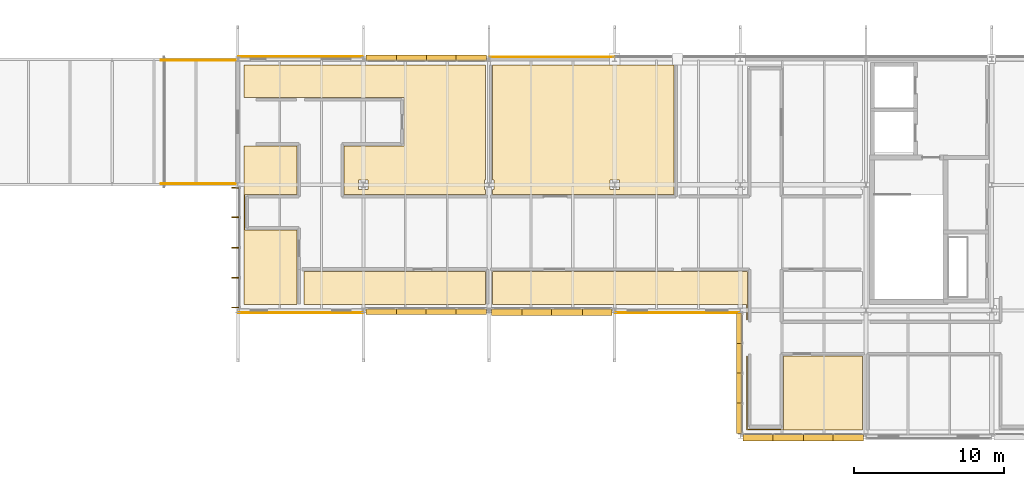
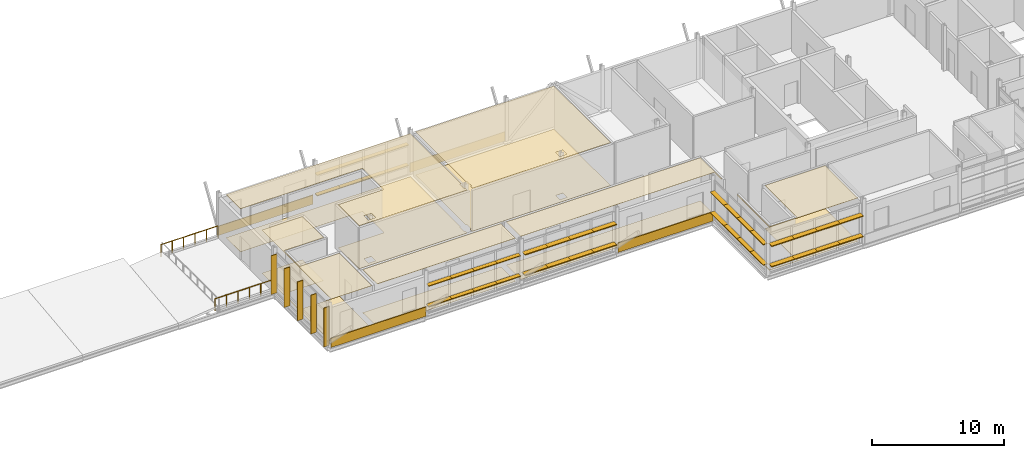
# One storey, part 34 of 35: 45 shading devices, 16 coverings, 2 railings.
"""IFC4 building model written with IfcOpenShell, lengths in metres."""

from ifc_helpers import new_model, si_unit, direction, frame, origin, origin_2d, place, context, subcontext, project, spatial, polyline, rectangle, circle, outline, extrude, material, layer, layer_set, type_object, element, save


model = new_model("IFC4")

# Units and contexts
model_context = context("Model", 3, precision=1e-05, world=origin(), true_north=direction((0.0, 1.0)))
body_context = subcontext(model_context, "Body", "Model", "MODEL_VIEW")
ifc_project = project(units=[si_unit("LENGTHUNIT", "METRE"), si_unit("AREAUNIT", "SQUARE_METRE"), si_unit("VOLUMEUNIT", "CUBIC_METRE"), si_unit("PLANEANGLEUNIT", "RADIAN"), si_unit("MASSUNIT", "GRAM", prefix="KILO")], contexts=[model_context])

# Site, building, storey
site_placement = place(None, origin())
site = spatial("IfcSite", under=ifc_project, at=site_placement, CompositionType="ELEMENT")
building_placement = place(site_placement, origin())
building = spatial("IfcBuilding", under=site, at=building_placement, Name="Mersafa Astral City Hall", CompositionType="ELEMENT")
storey_placement = place(building_placement, frame((0.0, 0.0, 30.14990234375)))
storey = spatial("IfcBuildingStorey", under=building, at=storey_placement, Name="L07", CompositionType="ELEMENT", Elevation=30.14990234375)

# Coverings
ifc_material_1 = material(Name="Cairo Mokattam buff limestone cladding", Category="masonry")
ifc_layer_1 = layer(ifc_material_1, 0.06005859375, Name="Cairo Mokattam buff limestone cladding")
ifc_layer_set_1 = layer_set([ifc_layer_1], Name="Cairo Mokattam buff limestone cladding — ENV-COV-LIMESTONE-60")
covering_type_1 = type_object("IfcCoveringType", Name="ENV-COV-LIMESTONE-60", PredefinedType="CLADDING", material=ifc_layer_set_1)
for number, where, z_axis, x_axis, name in (
    (1, (130.199951171875, 126.139404296875, 0.0), (0.0, 0.0, 1.0), (-1.0, 0.0, 0.0), "L07 Cairo buff limestone rainscreen cladding 377"),
    (2, (113.39990234375, 126.177001953125, 0.0), (0.0, 0.0, 1.0), (-1.0, 0.0, 0.0), "L07 Cairo buff limestone rainscreen cladding 378"),
    (3, (113.39990234375, 109.0380859375, 0.0), (0.0, 0.0, 1.0), (1.0, 0.0, 0.0), "L07 Cairo buff limestone rainscreen cladding 379"),
    (4, (138.60009765625, 109.04541015625, 0.0), (0.0, 0.0, 1.0), (1.0, 0.0, 0.0), "L07 Cairo buff limestone rainscreen cladding 380"),
):
    element("IfcCovering", number, at=place(storey_placement, frame(where, z_axis=z_axis, x_axis=x_axis)), inside=storey, type_object=covering_type_1, Name=name, PredefinedType="CLADDING", context=body_context, shape_type="SweptSolid", body=[
        extrude(rectangle(XDim=8.323974609375, YDim=0.06005859375, at=origin_2d()), origin(), (0.0, 0.0, 1.0), 0.860107421875),
    ])

# Railings
ifc_material_2 = material(Name="Anodised bronze steel balustrade with laminated safety infill", Category="steel")
railing_type = type_object("IfcRailingType", Name="ENV-RAIL-TERRACE-1120", PredefinedType="BALUSTRADE", material=ifc_material_2)
railing_1_placement = place(storey_placement, frame((104.06005859375, 117.669921875, 0.0)))
element("IfcRailing", 5, at=railing_1_placement, inside=storey, type_object=railing_type, Name="L07 Terrace perimeter guard balustrade 17", PredefinedType="BALUSTRADE", context=body_context, shape_type="SweptSolid", body=[
    extrude(circle(Radius=0.02392578125, at=origin_2d()), frame((0.0, 0.0, 1.09619140625), z_axis=(1.0, 0.0, 0.0), x_axis=(0.0, 1.0, 0.0)), (0.0, 0.0, 1.0), 5.0),
    extrude(circle(Radius=0.02099609375, at=origin_2d()), origin(), (0.0, 0.0, 1.0), 1.072021484375),
    extrude(circle(Radius=0.02099609375, at=origin_2d()), frame((1.0, 0.0, 0.0)), (0.0, 0.0, 1.0), 1.072021484375),
    extrude(circle(Radius=0.02099609375, at=origin_2d()), frame((2.0, 0.0, 0.0)), (0.0, 0.0, 1.0), 1.072021484375),
    extrude(circle(Radius=0.02099609375, at=origin_2d()), frame((3.0, 0.0, 0.0)), (0.0, 0.0, 1.0), 1.072021484375),
    extrude(circle(Radius=0.02099609375, at=origin_2d()), frame((4.0, 0.0, 0.0)), (0.0, 0.0, 1.0), 1.072021484375),
    extrude(circle(Radius=0.02099609375, at=origin_2d()), frame((5.0, 0.0, 0.0)), (0.0, 0.0, 1.0), 1.072021484375),
])
railing_2_placement = place(storey_placement, frame((109.06005859375, 125.929931640625, 0.0)))
element("IfcRailing", 6, at=railing_2_placement, inside=storey, type_object=railing_type, Name="L07 Terrace perimeter guard balustrade 18", PredefinedType="BALUSTRADE", context=body_context, shape_type="SweptSolid", body=[
    extrude(circle(Radius=0.02392578125, at=origin_2d()), frame((0.0, 0.0, 1.09619140625), z_axis=(-1.0, 0.0, 0.0), x_axis=(0.0, -1.0, 0.0)), (0.0, 0.0, 1.0), 5.0),
    extrude(circle(Radius=0.02099609375, at=origin_2d()), origin(), (0.0, 0.0, 1.0), 1.072021484375),
    extrude(circle(Radius=0.02099609375, at=origin_2d()), frame((-1.0, 0.0, 0.0)), (0.0, 0.0, 1.0), 1.072021484375),
    extrude(circle(Radius=0.02099609375, at=origin_2d()), frame((-2.0, 0.0, 0.0)), (0.0, 0.0, 1.0), 1.072021484375),
    extrude(circle(Radius=0.02099609375, at=origin_2d()), frame((-3.0, 0.0, 0.0)), (0.0, 0.0, 1.0), 1.072021484375),
    extrude(circle(Radius=0.02099609375, at=origin_2d()), frame((-4.0, 0.0, 0.0)), (0.0, 0.0, 1.0), 1.072021484375),
    extrude(circle(Radius=0.02099609375, at=origin_2d()), frame((-5.0, 0.0, 0.0)), (0.0, 0.0, 1.0), 1.072021484375),
])

# Shading devices
ifc_material_3 = material(Name="Anodised bronze aluminium solar fin", Category="aluminium")
shading_device_type_1 = type_object("IfcShadingDeviceType", Name="ENV-SHD-FIN-500A", PredefinedType="USERDEFINED", material=ifc_material_3)
for number, where, z_axis, x_axis, name in (
    (7, (109.054931640625, 117.407958984375, -0.014892578125), (0.0, 0.0, 1.0), (0.0, -1.0, 0.0), "L07 Vertical bronze solar fin 1751"),
    (8, (109.054931640625, 115.4189453125, -0.014892578125), (0.0, 0.0, 1.0), (0.0, -1.0, 0.0), "L07 Vertical bronze solar fin 1752"),
    (9, (109.054931640625, 113.39990234375, -0.014892578125), (0.0, 0.0, 1.0), (0.0, -1.0, 0.0), "L07 Vertical bronze solar fin 1753"),
    (10, (109.054931640625, 111.381103515625, -0.014892578125), (0.0, 0.0, 1.0), (0.0, -1.0, 0.0), "L07 Vertical bronze solar fin 1754"),
    (11, (109.054931640625, 109.39208984375, -0.014892578125), (0.0, 0.0, 1.0), (0.0, -1.0, 0.0), "L07 Vertical bronze solar fin 1755"),
):
    element("IfcShadingDevice", number, at=place(storey_placement, frame(where, z_axis=z_axis, x_axis=x_axis)), inside=storey, type_object=shading_device_type_1, Name=name, ObjectType="FIN", PredefinedType="USERDEFINED", context=body_context, shape_type="SweptSolid", body=[
        extrude(rectangle(XDim=0.06005859375, YDim=0.5, at=origin_2d()), origin(), (0.0, 0.0, 1.0), 3.60009765625),
    ])
ifc_material_4 = material(Name="Kiln-dried cedar timber brise-soleil blade", Category="wood")
shading_device_type_2 = type_object("IfcShadingDeviceType", Name="ENV-SHD-LOUVRE-380", PredefinedType="JALOUSIE", material=ifc_material_4)
shading_device_1_placement = place(storey_placement, frame((124.8134765625, 126.080078125, 0.81494140625), z_axis=(0.0, 0.0, 1.0), x_axis=(-1.0, 0.0, 0.0)))
element("IfcShadingDevice", 12, at=shading_device_1_placement, inside=storey, type_object=shading_device_type_2, Name="L07 Horizontal cedar brise-soleil louvre 1743", PredefinedType="JALOUSIE", context=body_context, shape_type="SweptSolid", body=[
    extrude(rectangle(XDim=2.029052734375, YDim=0.3798828125, at=origin_2d()), origin(), (0.0, 0.0, 1.0), 0.070068359375),
])
for number, where, z_axis, x_axis, name in (
    (13, (122.8095703125, 126.080078125, 0.81494140625), (0.0, 0.0, 1.0), (-1.0, 0.0, 0.0), "L07 Horizontal cedar brise-soleil louvre 1744"),
    (14, (120.79052734375, 126.080078125, 0.81494140625), (0.0, 0.0, 1.0), (-1.0, 0.0, 0.0), "L07 Horizontal cedar brise-soleil louvre 1745"),
):
    element("IfcShadingDevice", number, at=place(storey_placement, frame(where, z_axis=z_axis, x_axis=x_axis)), inside=storey, type_object=shading_device_type_2, Name=name, PredefinedType="JALOUSIE", context=body_context, shape_type="SweptSolid", body=[
        extrude(rectangle(XDim=2.05908203125, YDim=0.3798828125, at=origin_2d()), origin(), (0.0, 0.0, 1.0), 0.070068359375),
    ])
for number, where, z_axis, x_axis, name in (
    (15, (118.78662109375, 126.080078125, 0.81494140625), (0.0, 0.0, 1.0), (-1.0, 0.0, 0.0), "L07 Horizontal cedar brise-soleil louvre 1746"),
    (16, (124.8134765625, 126.080078125, 2.71484375), (0.0, 0.0, 1.0), (-1.0, 0.0, 0.0), "L07 Horizontal cedar brise-soleil louvre 1747"),
):
    element("IfcShadingDevice", number, at=place(storey_placement, frame(where, z_axis=z_axis, x_axis=x_axis)), inside=storey, type_object=shading_device_type_2, Name=name, PredefinedType="JALOUSIE", context=body_context, shape_type="SweptSolid", body=[
        extrude(rectangle(XDim=2.029052734375, YDim=0.3798828125, at=origin_2d()), origin(), (0.0, 0.0, 1.0), 0.070068359375),
    ])
for number, where, z_axis, x_axis, name in (
    (17, (122.8095703125, 126.080078125, 2.71484375), (0.0, 0.0, 1.0), (-1.0, 0.0, 0.0), "L07 Horizontal cedar brise-soleil louvre 1748"),
    (18, (120.79052734375, 126.080078125, 2.71484375), (0.0, 0.0, 1.0), (-1.0, 0.0, 0.0), "L07 Horizontal cedar brise-soleil louvre 1749"),
):
    element("IfcShadingDevice", number, at=place(storey_placement, frame(where, z_axis=z_axis, x_axis=x_axis)), inside=storey, type_object=shading_device_type_2, Name=name, PredefinedType="JALOUSIE", context=body_context, shape_type="SweptSolid", body=[
        extrude(rectangle(XDim=2.05908203125, YDim=0.3798828125, at=origin_2d()), origin(), (0.0, 0.0, 1.0), 0.070068359375),
    ])
for number, where, z_axis, x_axis, name in (
    (19, (118.78662109375, 126.080078125, 2.71484375), (0.0, 0.0, 1.0), (-1.0, 0.0, 0.0), "L07 Horizontal cedar brise-soleil louvre 1750"),
    (20, (118.78662109375, 109.1201171875, 0.81494140625), (0.0, 0.0, 1.0), (1.0, 0.0, 0.0), "L07 Horizontal cedar brise-soleil louvre 1756"),
):
    element("IfcShadingDevice", number, at=place(storey_placement, frame(where, z_axis=z_axis, x_axis=x_axis)), inside=storey, type_object=shading_device_type_2, Name=name, PredefinedType="JALOUSIE", context=body_context, shape_type="SweptSolid", body=[
        extrude(rectangle(XDim=2.029052734375, YDim=0.3798828125, at=origin_2d()), origin(), (0.0, 0.0, 1.0), 0.070068359375),
    ])
for number, where, z_axis, x_axis, name in (
    (21, (120.79052734375, 109.1201171875, 0.81494140625), (0.0, 0.0, 1.0), (1.0, 0.0, 0.0), "L07 Horizontal cedar brise-soleil louvre 1757"),
    (22, (122.8095703125, 109.1201171875, 0.81494140625), (0.0, 0.0, 1.0), (1.0, 0.0, 0.0), "L07 Horizontal cedar brise-soleil louvre 1758"),
):
    element("IfcShadingDevice", number, at=place(storey_placement, frame(where, z_axis=z_axis, x_axis=x_axis)), inside=storey, type_object=shading_device_type_2, Name=name, PredefinedType="JALOUSIE", context=body_context, shape_type="SweptSolid", body=[
        extrude(rectangle(XDim=2.05908203125, YDim=0.3798828125, at=origin_2d()), origin(), (0.0, 0.0, 1.0), 0.070068359375),
    ])
for number, where, z_axis, x_axis, name in (
    (23, (124.8134765625, 109.1201171875, 0.81494140625), (0.0, 0.0, 1.0), (1.0, 0.0, 0.0), "L07 Horizontal cedar brise-soleil louvre 1759"),
    (24, (118.78662109375, 109.1201171875, 2.71484375), (0.0, 0.0, 1.0), (1.0, 0.0, 0.0), "L07 Horizontal cedar brise-soleil louvre 1760"),
):
    element("IfcShadingDevice", number, at=place(storey_placement, frame(where, z_axis=z_axis, x_axis=x_axis)), inside=storey, type_object=shading_device_type_2, Name=name, PredefinedType="JALOUSIE", context=body_context, shape_type="SweptSolid", body=[
        extrude(rectangle(XDim=2.029052734375, YDim=0.3798828125, at=origin_2d()), origin(), (0.0, 0.0, 1.0), 0.070068359375),
    ])
for number, where, z_axis, x_axis, name in (
    (25, (120.79052734375, 109.1201171875, 2.71484375), (0.0, 0.0, 1.0), (1.0, 0.0, 0.0), "L07 Horizontal cedar brise-soleil louvre 1761"),
    (26, (122.8095703125, 109.1201171875, 2.71484375), (0.0, 0.0, 1.0), (1.0, 0.0, 0.0), "L07 Horizontal cedar brise-soleil louvre 1762"),
):
    element("IfcShadingDevice", number, at=place(storey_placement, frame(where, z_axis=z_axis, x_axis=x_axis)), inside=storey, type_object=shading_device_type_2, Name=name, PredefinedType="JALOUSIE", context=body_context, shape_type="SweptSolid", body=[
        extrude(rectangle(XDim=2.05908203125, YDim=0.3798828125, at=origin_2d()), origin(), (0.0, 0.0, 1.0), 0.070068359375),
    ])
for number, where, z_axis, x_axis, name in (
    (27, (124.8134765625, 109.1201171875, 2.71484375), (0.0, 0.0, 1.0), (1.0, 0.0, 0.0), "L07 Horizontal cedar brise-soleil louvre 1763"),
    (28, (142.719970703125, 108.013427734375, 0.81494140625), (0.0, 0.0, 1.0), (0.0, -1.0, 0.0), "L07 Horizontal cedar brise-soleil louvre 1772"),
):
    element("IfcShadingDevice", number, at=place(storey_placement, frame(where, z_axis=z_axis, x_axis=x_axis)), inside=storey, type_object=shading_device_type_2, Name=name, PredefinedType="JALOUSIE", context=body_context, shape_type="SweptSolid", body=[
        extrude(rectangle(XDim=2.029052734375, YDim=0.3798828125, at=origin_2d()), origin(), (0.0, 0.0, 1.0), 0.070068359375),
    ])
for number, where, z_axis, x_axis, name in (
    (29, (142.719970703125, 106.009521484375, 0.81494140625), (0.0, 0.0, 1.0), (0.0, -1.0, 0.0), "L07 Horizontal cedar brise-soleil louvre 1773"),
    (30, (142.719970703125, 103.990478515625, 0.81494140625), (0.0, 0.0, 1.0), (0.0, -1.0, 0.0), "L07 Horizontal cedar brise-soleil louvre 1774"),
):
    element("IfcShadingDevice", number, at=place(storey_placement, frame(where, z_axis=z_axis, x_axis=x_axis)), inside=storey, type_object=shading_device_type_2, Name=name, PredefinedType="JALOUSIE", context=body_context, shape_type="SweptSolid", body=[
        extrude(rectangle(XDim=2.05908203125, YDim=0.3798828125, at=origin_2d()), origin(), (0.0, 0.0, 1.0), 0.070068359375),
    ])
for number, where, z_axis, x_axis, name in (
    (31, (142.719970703125, 101.986572265625, 0.81494140625), (0.0, 0.0, 1.0), (0.0, -1.0, 0.0), "L07 Horizontal cedar brise-soleil louvre 1775"),
    (32, (142.719970703125, 108.013427734375, 2.71484375), (0.0, 0.0, 1.0), (0.0, -1.0, 0.0), "L07 Horizontal cedar brise-soleil louvre 1776"),
):
    element("IfcShadingDevice", number, at=place(storey_placement, frame(where, z_axis=z_axis, x_axis=x_axis)), inside=storey, type_object=shading_device_type_2, Name=name, PredefinedType="JALOUSIE", context=body_context, shape_type="SweptSolid", body=[
        extrude(rectangle(XDim=2.029052734375, YDim=0.3798828125, at=origin_2d()), origin(), (0.0, 0.0, 1.0), 0.070068359375),
    ])
for number, where, z_axis, x_axis, name in (
    (33, (142.719970703125, 106.009521484375, 2.71484375), (0.0, 0.0, 1.0), (0.0, -1.0, 0.0), "L07 Horizontal cedar brise-soleil louvre 1777"),
    (34, (142.719970703125, 103.990478515625, 2.71484375), (0.0, 0.0, 1.0), (0.0, -1.0, 0.0), "L07 Horizontal cedar brise-soleil louvre 1778"),
):
    element("IfcShadingDevice", number, at=place(storey_placement, frame(where, z_axis=z_axis, x_axis=x_axis)), inside=storey, type_object=shading_device_type_2, Name=name, PredefinedType="JALOUSIE", context=body_context, shape_type="SweptSolid", body=[
        extrude(rectangle(XDim=2.05908203125, YDim=0.3798828125, at=origin_2d()), origin(), (0.0, 0.0, 1.0), 0.070068359375),
    ])
shading_device_2_placement = place(storey_placement, frame((142.719970703125, 101.986572265625, 2.71484375), z_axis=(0.0, 0.0, 1.0), x_axis=(0.0, -1.0, 0.0)))
element("IfcShadingDevice", 35, at=shading_device_2_placement, inside=storey, type_object=shading_device_type_2, Name="L07 Horizontal cedar brise-soleil louvre 1779", PredefinedType="JALOUSIE", context=body_context, shape_type="SweptSolid", body=[
    extrude(rectangle(XDim=2.029052734375, YDim=0.3798828125, at=origin_2d()), origin(), (0.0, 0.0, 1.0), 0.070068359375),
])
shading_device_type_3 = type_object("IfcShadingDeviceType", Name="ENV-SHD-LOUVRE-450", PredefinedType="JALOUSIE", material=ifc_material_4)
shading_device_3_placement = place(storey_placement, frame((143.986572265625, 100.68505859375, 0.81005859375), z_axis=(0.0, 0.0, 1.0), x_axis=(1.0, 0.0, 0.0)))
element("IfcShadingDevice", 36, at=shading_device_3_placement, inside=storey, type_object=shading_device_type_3, Name="L07 Horizontal cedar brise-soleil louvre 1709", PredefinedType="JALOUSIE", context=body_context, shape_type="SweptSolid", body=[
    extrude(rectangle(XDim=2.029052734375, YDim=0.449951171875, at=origin_2d()), origin(), (0.0, 0.0, 1.0), 0.080078125),
])
for number, where, z_axis, x_axis, name in (
    (37, (145.990478515625, 100.68505859375, 0.81005859375), (0.0, 0.0, 1.0), (1.0, 0.0, 0.0), "L07 Horizontal cedar brise-soleil louvre 1710"),
    (38, (148.009521484375, 100.68505859375, 0.81005859375), (0.0, 0.0, 1.0), (1.0, 0.0, 0.0), "L07 Horizontal cedar brise-soleil louvre 1711"),
):
    element("IfcShadingDevice", number, at=place(storey_placement, frame(where, z_axis=z_axis, x_axis=x_axis)), inside=storey, type_object=shading_device_type_3, Name=name, PredefinedType="JALOUSIE", context=body_context, shape_type="SweptSolid", body=[
        extrude(rectangle(XDim=2.05908203125, YDim=0.449951171875, at=origin_2d()), origin(), (0.0, 0.0, 1.0), 0.080078125),
    ])
for number, where, z_axis, x_axis, name in (
    (39, (150.013427734375, 100.68505859375, 0.81005859375), (0.0, 0.0, 1.0), (1.0, 0.0, 0.0), "L07 Horizontal cedar brise-soleil louvre 1712"),
    (40, (143.986572265625, 100.68505859375, 2.7099609375), (0.0, 0.0, 1.0), (1.0, 0.0, 0.0), "L07 Horizontal cedar brise-soleil louvre 1713"),
):
    element("IfcShadingDevice", number, at=place(storey_placement, frame(where, z_axis=z_axis, x_axis=x_axis)), inside=storey, type_object=shading_device_type_3, Name=name, PredefinedType="JALOUSIE", context=body_context, shape_type="SweptSolid", body=[
        extrude(rectangle(XDim=2.029052734375, YDim=0.449951171875, at=origin_2d()), origin(), (0.0, 0.0, 1.0), 0.080078125),
    ])
for number, where, z_axis, x_axis, name in (
    (41, (145.990478515625, 100.68505859375, 2.7099609375), (0.0, 0.0, 1.0), (1.0, 0.0, 0.0), "L07 Horizontal cedar brise-soleil louvre 1714"),
    (42, (148.009521484375, 100.68505859375, 2.7099609375), (0.0, 0.0, 1.0), (1.0, 0.0, 0.0), "L07 Horizontal cedar brise-soleil louvre 1715"),
):
    element("IfcShadingDevice", number, at=place(storey_placement, frame(where, z_axis=z_axis, x_axis=x_axis)), inside=storey, type_object=shading_device_type_3, Name=name, PredefinedType="JALOUSIE", context=body_context, shape_type="SweptSolid", body=[
        extrude(rectangle(XDim=2.05908203125, YDim=0.449951171875, at=origin_2d()), origin(), (0.0, 0.0, 1.0), 0.080078125),
    ])
for number, where, z_axis, x_axis, name in (
    (43, (150.013427734375, 100.68505859375, 2.7099609375), (0.0, 0.0, 1.0), (1.0, 0.0, 0.0), "L07 Horizontal cedar brise-soleil louvre 1716"),
    (44, (127.1865234375, 109.0849609375, 0.81005859375), (0.0, 0.0, 1.0), (1.0, 0.0, 0.0), "L07 Horizontal cedar brise-soleil louvre 1764"),
):
    element("IfcShadingDevice", number, at=place(storey_placement, frame(where, z_axis=z_axis, x_axis=x_axis)), inside=storey, type_object=shading_device_type_3, Name=name, PredefinedType="JALOUSIE", context=body_context, shape_type="SweptSolid", body=[
        extrude(rectangle(XDim=2.029052734375, YDim=0.449951171875, at=origin_2d()), origin(), (0.0, 0.0, 1.0), 0.080078125),
    ])
for number, where, z_axis, x_axis, name in (
    (45, (129.1904296875, 109.0849609375, 0.81005859375), (0.0, 0.0, 1.0), (1.0, 0.0, 0.0), "L07 Horizontal cedar brise-soleil louvre 1765"),
    (46, (131.20947265625, 109.0849609375, 0.81005859375), (0.0, 0.0, 1.0), (1.0, 0.0, 0.0), "L07 Horizontal cedar brise-soleil louvre 1766"),
):
    element("IfcShadingDevice", number, at=place(storey_placement, frame(where, z_axis=z_axis, x_axis=x_axis)), inside=storey, type_object=shading_device_type_3, Name=name, PredefinedType="JALOUSIE", context=body_context, shape_type="SweptSolid", body=[
        extrude(rectangle(XDim=2.05908203125, YDim=0.449951171875, at=origin_2d()), origin(), (0.0, 0.0, 1.0), 0.080078125),
    ])
for number, where, z_axis, x_axis, name in (
    (47, (133.21337890625, 109.0849609375, 0.81005859375), (0.0, 0.0, 1.0), (1.0, 0.0, 0.0), "L07 Horizontal cedar brise-soleil louvre 1767"),
    (48, (127.1865234375, 109.0849609375, 2.7099609375), (0.0, 0.0, 1.0), (1.0, 0.0, 0.0), "L07 Horizontal cedar brise-soleil louvre 1768"),
):
    element("IfcShadingDevice", number, at=place(storey_placement, frame(where, z_axis=z_axis, x_axis=x_axis)), inside=storey, type_object=shading_device_type_3, Name=name, PredefinedType="JALOUSIE", context=body_context, shape_type="SweptSolid", body=[
        extrude(rectangle(XDim=2.029052734375, YDim=0.449951171875, at=origin_2d()), origin(), (0.0, 0.0, 1.0), 0.080078125),
    ])
for number, where, z_axis, x_axis, name in (
    (49, (129.1904296875, 109.0849609375, 2.7099609375), (0.0, 0.0, 1.0), (1.0, 0.0, 0.0), "L07 Horizontal cedar brise-soleil louvre 1769"),
    (50, (131.20947265625, 109.0849609375, 2.7099609375), (0.0, 0.0, 1.0), (1.0, 0.0, 0.0), "L07 Horizontal cedar brise-soleil louvre 1770"),
):
    element("IfcShadingDevice", number, at=place(storey_placement, frame(where, z_axis=z_axis, x_axis=x_axis)), inside=storey, type_object=shading_device_type_3, Name=name, PredefinedType="JALOUSIE", context=body_context, shape_type="SweptSolid", body=[
        extrude(rectangle(XDim=2.05908203125, YDim=0.449951171875, at=origin_2d()), origin(), (0.0, 0.0, 1.0), 0.080078125),
    ])
shading_device_4_placement = place(storey_placement, frame((133.21337890625, 109.0849609375, 2.7099609375), z_axis=(0.0, 0.0, 1.0), x_axis=(1.0, 0.0, 0.0)))
element("IfcShadingDevice", 51, at=shading_device_4_placement, inside=storey, type_object=shading_device_type_3, Name="L07 Horizontal cedar brise-soleil louvre 1771", PredefinedType="JALOUSIE", context=body_context, shape_type="SweptSolid", body=[
    extrude(rectangle(XDim=2.029052734375, YDim=0.449951171875, at=origin_2d()), origin(), (0.0, 0.0, 1.0), 0.080078125),
])

# Coverings
ifc_material_5 = material(Name="Perforated acoustic gypsum board ceiling", Category="gypsum")
ifc_layer_2 = layer(ifc_material_5, 0.02490234375, Name="Perforated acoustic gypsum board ceiling")
ifc_layer_set_2 = layer_set([ifc_layer_2], Name="Perforated acoustic gypsum board ceiling — INT-COV-CEIL-25")
covering_type_2 = type_object("IfcCoveringType", Name="INT-COV-CEIL-25", PredefinedType="CEILING", material=ifc_layer_set_2)
covering_1_placement = place(storey_placement, frame((0.0, 0.0, 3.9931640625)))
element("IfcCovering", 52, at=covering_1_placement, inside=storey, type_object=covering_type_2, Name="L07 Metropolitan Strategy Boardroom L07-02 acoustic ceiling", PredefinedType="CEILING", context=body_context, shape_type="SweptSolid", body=[
    extrude(outline(polyline([(126.320068359375, 117.280029296875), (126.320068359375, 117.919921875), (126.22998046875, 117.919921875), (126.22998046875, 125.60009765625), (138.3701171875, 125.60009765625), (138.3701171875, 116.9599609375), (126.22998046875, 116.9599609375), (126.22998046875, 117.280029296875), (126.320068359375, 117.280029296875)]), holes=[polyline([(134.719970703125, 117.919921875), (134.080078125, 117.919921875), (134.080078125, 117.280029296875), (134.719970703125, 117.280029296875), (134.719970703125, 117.919921875)])]), origin(), (0.0, 0.0, 1.0), 0.02490234375),
])
covering_2_placement = place(storey_placement, frame((0.0, 0.0, 3.9931640625)))
element("IfcCovering", 53, at=covering_2_placement, inside=storey, type_object=covering_type_2, Name="L07 Mayoral Constitutional Library L07-04 acoustic ceiling", PredefinedType="CEILING", context=body_context, shape_type="SweptSolid", body=[
    extrude(outline(polyline([(120.320068359375, 120.179931640625), (120.320068359375, 123.419921875), (109.60009765625, 123.419921875), (109.60009765625, 125.60009765625), (125.77001953125, 125.60009765625), (125.77001953125, 117.919921875), (125.679931640625, 117.919921875), (125.679931640625, 117.280029296875), (125.77001953125, 117.280029296875), (125.77001953125, 116.9599609375), (116.31005859375, 116.9599609375), (116.31005859375, 120.179931640625), (120.320068359375, 120.179931640625)]), holes=[polyline([(117.280029296875, 117.919921875), (117.280029296875, 117.280029296875), (117.919921875, 117.280029296875), (117.919921875, 117.919921875), (117.280029296875, 117.919921875)])]), origin(), (0.0, 0.0, 1.0), 0.02490234375),
])
covering_3_placement = place(storey_placement, frame((0.0, 0.0, 3.9931640625)))
element("IfcCovering", 54, at=covering_3_placement, inside=storey, type_object=covering_type_2, Name="L07 HVAC & Solar Control Room L07-06 acoustic ceiling", PredefinedType="CEILING", context=body_context, shape_type="SweptSolid", body=[
    extrude(outline(polyline([(113.169921875, 116.9599609375), (109.679931640625, 116.9599609375), (109.679931640625, 114.56005859375), (113.169921875, 114.56005859375), (113.169921875, 109.60009765625), (109.60009765625, 109.60009765625), (109.60009765625, 120.179931640625), (113.169921875, 120.179931640625), (113.169921875, 116.9599609375)])), origin(), (0.0, 0.0, 1.0), 0.02490234375),
])
covering_4_placement = place(storey_placement, frame((0.0, 0.0, 3.9931640625)))
element("IfcCovering", 55, at=covering_4_placement, inside=storey, type_object=covering_type_2, Name="L07 Public Restroom L07-07 acoustic ceiling", PredefinedType="CEILING", context=body_context, shape_type="SweptSolid", body=[
    extrude(outline(polyline([(143.280029296875, 106.159912109375), (143.280029296875, 101.280029296875), (145.679931640625, 101.280029296875), (145.679931640625, 106.159912109375), (150.969970703125, 106.159912109375), (150.969970703125, 101.199951171875), (143.199951171875, 101.199951171875), (143.199951171875, 106.159912109375), (143.280029296875, 106.159912109375)])), origin(), (0.0, 0.0, 1.0), 0.02490234375),
])
covering_5_placement = place(storey_placement, frame((0.0, 0.0, 3.9931640625)))
element("IfcCovering", 56, at=covering_5_placement, inside=storey, type_object=covering_type_2, Name="L07 Metropolitan Strategy Boardroom L07-09 acoustic ceiling", PredefinedType="CEILING", context=body_context, shape_type="SweptSolid", body=[
    extrude(outline(polyline([(126.22998046875, 109.60009765625), (126.22998046875, 111.81005859375), (143.280029296875, 111.81005859375), (143.280029296875, 108.56005859375), (143.199951171875, 108.56005859375), (143.199951171875, 109.60009765625), (126.22998046875, 109.60009765625)])), origin(), (0.0, 0.0, 1.0), 0.02490234375),
])
ifc_material_6 = material(Name="Slatted cedar timber acoustic baffle ceiling", Category="wood")
ifc_layer_3 = layer(ifc_material_6, 0.034912109375, Name="Slatted cedar timber acoustic baffle ceiling")
ifc_layer_set_3 = layer_set([ifc_layer_3], Name="Slatted cedar timber acoustic baffle ceiling — INT-COV-CEIL-35")
covering_type_3 = type_object("IfcCoveringType", Name="INT-COV-CEIL-35", PredefinedType="CEILING", material=ifc_layer_set_3)
covering_6_placement = place(storey_placement, frame((0.0, 0.0, 3.983154296875)))
element("IfcCovering", 57, at=covering_6_placement, inside=storey, type_object=covering_type_3, Name="L07 Astral Observatory Civic Gallery L07-08 acoustic ceiling", PredefinedType="CEILING", context=body_context, shape_type="SweptSolid", body=[
    extrude(outline(polyline([(113.6298828125, 109.60009765625), (113.6298828125, 111.81005859375), (125.77001953125, 111.81005859375), (125.77001953125, 109.60009765625), (113.6298828125, 109.60009765625)])), origin(), (0.0, 0.0, 1.0), 0.034912109375),
])
ifc_material_7 = material(Name="Heavy-duty woven acoustic carpet tile", Category="finish")
ifc_layer_4 = layer(ifc_material_7, 0.014892578125, Name="Heavy-duty woven acoustic carpet tile")
ifc_layer_set_4 = layer_set([ifc_layer_4], Name="Heavy-duty woven acoustic carpet tile — INT-COV-FLR-15")
covering_type_4 = type_object("IfcCoveringType", Name="INT-COV-FLR-15", PredefinedType="FLOORING", material=ifc_layer_set_4)
covering_7_placement = place(storey_placement, frame((0.0, 0.0, -0.00146484375)))
element("IfcCovering", 58, at=covering_7_placement, inside=storey, type_object=covering_type_4, Name="L07 Metropolitan Strategy Boardroom L07-02 architectural flooring", PredefinedType="FLOORING", context=body_context, shape_type="SweptSolid", body=[
    extrude(outline(polyline([(126.320068359375, 117.280029296875), (126.320068359375, 117.919921875), (126.22998046875, 117.919921875), (126.22998046875, 125.60009765625), (138.3701171875, 125.60009765625), (138.3701171875, 116.9599609375), (126.22998046875, 116.9599609375), (126.22998046875, 117.280029296875), (126.320068359375, 117.280029296875)]), holes=[polyline([(134.719970703125, 117.919921875), (134.080078125, 117.919921875), (134.080078125, 117.280029296875), (134.719970703125, 117.280029296875), (134.719970703125, 117.919921875)])]), origin(), (0.0, 0.0, 1.0), 0.014892578125),
])
covering_8_placement = place(storey_placement, frame((0.0, 0.0, -0.00146484375)))
element("IfcCovering", 59, at=covering_8_placement, inside=storey, type_object=covering_type_4, Name="L07 Mayoral Constitutional Library L07-04 architectural flooring", PredefinedType="FLOORING", context=body_context, shape_type="SweptSolid", body=[
    extrude(outline(polyline([(120.320068359375, 120.179931640625), (120.320068359375, 123.419921875), (109.60009765625, 123.419921875), (109.60009765625, 125.60009765625), (125.77001953125, 125.60009765625), (125.77001953125, 117.919921875), (125.679931640625, 117.919921875), (125.679931640625, 117.280029296875), (125.77001953125, 117.280029296875), (125.77001953125, 116.9599609375), (116.31005859375, 116.9599609375), (116.31005859375, 120.179931640625), (120.320068359375, 120.179931640625)]), holes=[polyline([(117.280029296875, 117.919921875), (117.280029296875, 117.280029296875), (117.919921875, 117.280029296875), (117.919921875, 117.919921875), (117.280029296875, 117.919921875)])]), origin(), (0.0, 0.0, 1.0), 0.014892578125),
])
covering_9_placement = place(storey_placement, frame((0.0, 0.0, -0.00146484375)))
element("IfcCovering", 60, at=covering_9_placement, inside=storey, type_object=covering_type_4, Name="L07 HVAC & Solar Control Room L07-06 architectural flooring", PredefinedType="FLOORING", context=body_context, shape_type="SweptSolid", body=[
    extrude(outline(polyline([(113.169921875, 116.9599609375), (109.679931640625, 116.9599609375), (109.679931640625, 114.56005859375), (113.169921875, 114.56005859375), (113.169921875, 109.60009765625), (109.60009765625, 109.60009765625), (109.60009765625, 120.179931640625), (113.169921875, 120.179931640625), (113.169921875, 116.9599609375)])), origin(), (0.0, 0.0, 1.0), 0.014892578125),
])
covering_10_placement = place(storey_placement, frame((0.0, 0.0, -0.00146484375)))
element("IfcCovering", 61, at=covering_10_placement, inside=storey, type_object=covering_type_4, Name="L07 Public Restroom L07-07 architectural flooring", PredefinedType="FLOORING", context=body_context, shape_type="SweptSolid", body=[
    extrude(outline(polyline([(143.280029296875, 106.159912109375), (143.280029296875, 101.280029296875), (145.679931640625, 101.280029296875), (145.679931640625, 106.159912109375), (150.969970703125, 106.159912109375), (150.969970703125, 101.199951171875), (143.199951171875, 101.199951171875), (143.199951171875, 106.159912109375), (143.280029296875, 106.159912109375)])), origin(), (0.0, 0.0, 1.0), 0.014892578125),
])
covering_11_placement = place(storey_placement, frame((0.0, 0.0, -0.00146484375)))
element("IfcCovering", 62, at=covering_11_placement, inside=storey, type_object=covering_type_4, Name="L07 Astral Observatory Civic Gallery L07-08 architectural flooring", PredefinedType="FLOORING", context=body_context, shape_type="SweptSolid", body=[
    extrude(outline(polyline([(113.6298828125, 109.60009765625), (113.6298828125, 111.81005859375), (125.77001953125, 111.81005859375), (125.77001953125, 109.60009765625), (113.6298828125, 109.60009765625)])), origin(), (0.0, 0.0, 1.0), 0.014892578125),
])
covering_12_placement = place(storey_placement, frame((0.0, 0.0, -0.00146484375)))
element("IfcCovering", 63, at=covering_12_placement, inside=storey, type_object=covering_type_4, Name="L07 Metropolitan Strategy Boardroom L07-09 architectural flooring", PredefinedType="FLOORING", context=body_context, shape_type="SweptSolid", body=[
    extrude(outline(polyline([(126.22998046875, 109.60009765625), (126.22998046875, 111.81005859375), (143.280029296875, 111.81005859375), (143.280029296875, 108.56005859375), (143.199951171875, 108.56005859375), (143.199951171875, 109.60009765625), (126.22998046875, 109.60009765625)])), origin(), (0.0, 0.0, 1.0), 0.014892578125),
])

save(model, "model.ifc")
